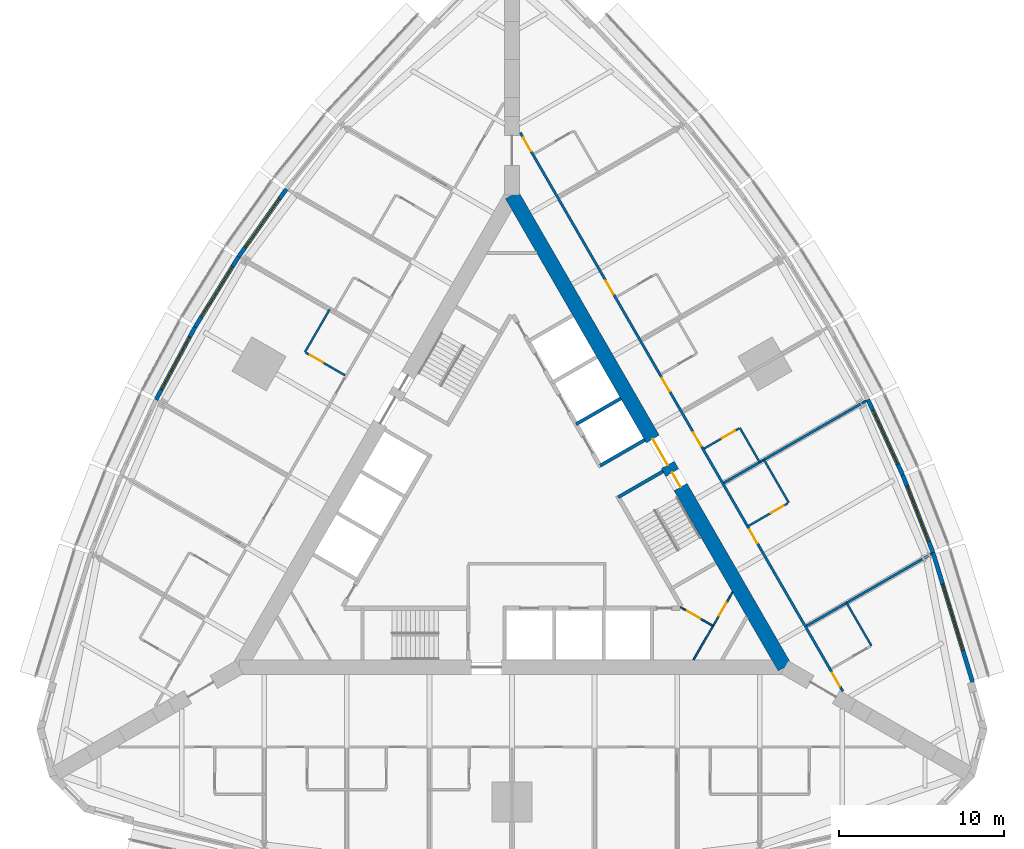
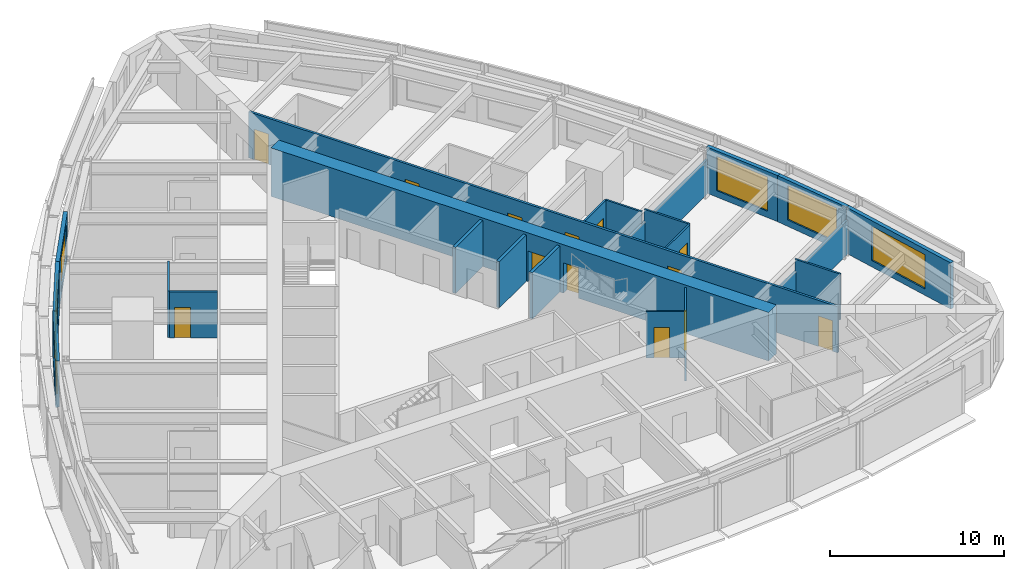
# One storey, part 11 of 14: 22 walls, 13 doors, 6 windows, 19 openings.
"""IFC4 building model written with IfcOpenShell, lengths in metres."""

from ifc_helpers import new_model, si_unit, direction, frame, frame_2d, origin, place, context, subcontext, project, spatial, rectangle, extrude, material, layer, layer_set, type_object, element, fill, save


model = new_model("IFC4")

# Units and contexts
model_context = context("Model", 3, precision=1e-05, world=origin(), true_north=direction((0.0, 1.0)))
body_context = subcontext(model_context, "Body", "Model", "MODEL_VIEW")
ifc_project = project(units=[si_unit("LENGTHUNIT", "METRE"), si_unit("AREAUNIT", "SQUARE_METRE"), si_unit("VOLUMEUNIT", "CUBIC_METRE"), si_unit("PLANEANGLEUNIT", "RADIAN"), si_unit("MASSUNIT", "GRAM", prefix="KILO")], contexts=[model_context])

# Site, building, storey
site_placement = place(None, origin())
site = spatial("IfcSite", under=ifc_project, at=site_placement, CompositionType="ELEMENT")
building_placement = place(site_placement, origin())
building = spatial("IfcBuilding", under=site, at=building_placement, Name="Trikona Tower", CompositionType="ELEMENT")
storey_placement = place(building_placement, frame((0.0, 0.0, 65.89990234375)))
storey = spatial("IfcBuildingStorey", under=building, at=storey_placement, Name="L16", CompositionType="ELEMENT", Elevation=65.89990234375)

# Walls
ifc_material_1 = material(Name="Metal stud and cement board", Category="gypsum")
ifc_layer_1 = layer(ifc_material_1, 0.1201171875)
ifc_layer_set_1 = layer_set([ifc_layer_1], Name="Bathroom wall 120")
wall_type_1 = type_object("IfcWallType", Name="Bathroom wall 120", PredefinedType="PLUMBINGWALL", material=ifc_layer_set_1)
for number, where, z_axis, x_axis, name in (
    (1, (21.75341796875, -8.225341796875, 0.0), (0.0, 0.0, 1.0), (-0.499990139034, 0.866031096941, 0.0), "Bathroom wall 1607"),
    (2, (16.75341796875, 0.434814453125, 0.0), (0.0, 0.0, 1.0), (-0.499990139034, 0.866031096941, 0.0), "Bathroom wall 1608"),
):
    element("IfcWall", number, at=place(storey_placement, frame(where, z_axis=z_axis, x_axis=x_axis)), inside=storey, type_object=wall_type_1, Name=name, PredefinedType="PLUMBINGWALL", context=body_context, shape_type="SweptSolid", body=[
        extrude(rectangle(XDim=3.0, YDim=0.1201171875, at=frame_2d((1.5, 0.0))), origin(), (0.0, 0.0, 1.0), 3.235107421875),
    ])

# Wall, opening, door
wall_1_placement = place(storey_placement, frame((14.32861328125, -0.965087890625, 0.0), z_axis=(0.0, 0.0, 1.0), x_axis=(0.866035715982, 0.499982138324, 0.0)))
wall_1 = element("IfcWall", 3, at=wall_1_placement, inside=storey, type_object=wall_type_1, Name="Bathroom wall 1608", PredefinedType="PLUMBINGWALL", context=body_context, shape_type="SweptSolid", body=[
    extrude(rectangle(XDim=2.73974609375, YDim=0.1201171875, at=frame_2d((1.369873046875, 0.0))), origin(), (0.0, 0.0, 1.0), 3.235107421875),
])
opening_1_placement = place(wall_1_placement, frame((1.550048828125, 0.0, 0.0)))
opening_1 = element("IfcOpeningElement", 4, at=opening_1_placement, cuts=wall_1, Name="Opening D2", PredefinedType="OPENING", context=body_context, shape_type="SweptSolid", body=[
    extrude(rectangle(XDim=0.89990234375, YDim=2.1298828125, at=frame_2d((0.449951171875, 1.06494140625))), frame((0.0, 0.070068359375, 0.0), z_axis=(0.0, -1.0, 0.0), x_axis=(1.0, 0.0, 0.0)), (0.0, 0.0, 1.0), 0.14013671875),
])
ifc_material_2 = material(Name="Steel door frame with solid-core timber leaf", Category="steel")
door_type_1 = type_object("IfcDoorType", Name="Bathroom door 900x2130", OperationType="SLIDING_TO_LEFT", PredefinedType="DOOR", material=ifc_material_2)
door_1_placement = place(opening_1_placement, origin())
door_1 = element("IfcDoor", 5, at=door_1_placement, inside=storey, type_object=door_type_1, Name="Bathroom door 1608", OperationType="SLIDING_TO_LEFT", OverallHeight=2.1298828125, OverallWidth=0.89990234375, PredefinedType="DOOR", context=body_context, shape_type="SweptSolid", body=[
    extrude(rectangle(XDim=0.89990234375, YDim=2.1298828125, at=frame_2d((0.449951171875, 1.06494140625))), frame((0.0, 0.02490234375, 0.0), z_axis=(0.0, -1.0, 0.0), x_axis=(1.0, 0.0, 0.0)), (0.0, 0.0, 1.0), 0.050048828125),
])
fill(opening_1, door_1)

# Wall
wall_2_placement = place(storey_placement, frame((14.993408203125, 2.883056640625, 0.0), z_axis=(0.0, 0.0, 1.0), x_axis=(-0.500001309137, 0.866024647952, 0.0)))
element("IfcWall", 6, at=wall_2_placement, inside=storey, type_object=wall_type_1, Name="Bathroom wall 1609", PredefinedType="PLUMBINGWALL", context=body_context, shape_type="SweptSolid", body=[
    extrude(rectangle(XDim=2.39990234375, YDim=0.1201171875, at=frame_2d((1.199951171875, 0.0))), origin(), (0.0, 0.0, 1.0), 3.235107421875),
])

# Wall, opening, door
wall_3_placement = place(storey_placement, frame((11.62841796875, 3.71142578125, 0.0), z_axis=(0.0, 0.0, 1.0), x_axis=(0.866048967903, 0.499959183527, 0.0)))
wall_3 = element("IfcWall", 7, at=wall_3_placement, inside=storey, type_object=wall_type_1, Name="Bathroom wall 1609", PredefinedType="PLUMBINGWALL", context=body_context, shape_type="SweptSolid", body=[
    extrude(rectangle(XDim=2.440185546875, YDim=0.1201171875, at=frame_2d((1.22021484375, 0.0))), origin(), (0.0, 0.0, 1.0), 3.235107421875),
])
opening_2_placement = place(wall_3_placement, frame((1.25, 0.0, 0.0)))
opening_2 = element("IfcOpeningElement", 8, at=opening_2_placement, cuts=wall_3, Name="Opening D2", PredefinedType="OPENING", context=body_context, shape_type="SweptSolid", body=[
    extrude(rectangle(XDim=0.89990234375, YDim=2.1298828125, at=frame_2d((0.449951171875, 1.06494140625))), frame((0.0, 0.070068359375, 0.0), z_axis=(0.0, -1.0, 0.0), x_axis=(1.0, 0.0, 0.0)), (0.0, 0.0, 1.0), 0.14013671875),
])
door_2_placement = place(opening_2_placement, origin())
door_2 = element("IfcDoor", 9, at=door_2_placement, inside=storey, type_object=door_type_1, Name="Bathroom door 1609", OperationType="SLIDING_TO_LEFT", OverallHeight=2.1298828125, OverallWidth=0.89990234375, PredefinedType="DOOR", context=body_context, shape_type="SweptSolid", body=[
    extrude(rectangle(XDim=0.89990234375, YDim=2.1298828125, at=frame_2d((0.449951171875, 1.06494140625))), frame((0.0, 0.02490234375, 0.0), z_axis=(0.0, -1.0, 0.0), x_axis=(1.0, 0.0, 0.0)), (0.0, 0.0, 1.0), 0.050048828125),
])
fill(opening_2, door_2)

# Wall
wall_4_placement = place(storey_placement, frame((-11.03271484375, 12.143310546875, 0.0), z_axis=(0.0, 0.0, 1.0), x_axis=(-0.499990139034, -0.866031096941, 0.0)))
element("IfcWall", 10, at=wall_4_placement, inside=storey, type_object=wall_type_1, Name="Bathroom wall 1615", PredefinedType="PLUMBINGWALL", context=body_context, shape_type="SweptSolid", body=[
    extrude(rectangle(XDim=3.0, YDim=0.1201171875, at=frame_2d((1.5, 0.0))), origin(), (0.0, 0.0, 1.0), 3.235107421875),
])

# Wall, opening, door
wall_5_placement = place(storey_placement, frame((-10.10791015625, 8.145263671875, 0.0), z_axis=(0.0, 0.0, 1.0), x_axis=(-0.866035715982, 0.499982138324, 0.0)))
wall_5 = element("IfcWall", 11, at=wall_5_placement, inside=storey, type_object=wall_type_1, Name="Bathroom wall 1615", PredefinedType="PLUMBINGWALL", context=body_context, shape_type="SweptSolid", body=[
    extrude(rectangle(XDim=2.73974609375, YDim=0.1201171875, at=frame_2d((1.369873046875, 0.0))), origin(), (0.0, 0.0, 1.0), 3.235107421875),
])
opening_3_placement = place(wall_5_placement, frame((1.550048828125, 0.0, 0.0)))
opening_3 = element("IfcOpeningElement", 12, at=opening_3_placement, cuts=wall_5, Name="Opening D2", PredefinedType="OPENING", context=body_context, shape_type="SweptSolid", body=[
    extrude(rectangle(XDim=0.89990234375, YDim=2.1298828125, at=frame_2d((0.449951171875, 1.06494140625))), frame((0.0, 0.070068359375, 0.0), z_axis=(0.0, -1.0, 0.0), x_axis=(1.0, 0.0, 0.0)), (0.0, 0.0, 1.0), 0.14013671875),
])
door_3_placement = place(opening_3_placement, origin())
door_3 = element("IfcDoor", 13, at=door_3_placement, inside=storey, type_object=door_type_1, Name="Bathroom door 1615", OperationType="SLIDING_TO_LEFT", OverallHeight=2.1298828125, OverallWidth=0.89990234375, PredefinedType="DOOR", context=body_context, shape_type="SweptSolid", body=[
    extrude(rectangle(XDim=0.89990234375, YDim=2.1298828125, at=frame_2d((0.449951171875, 1.06494140625))), frame((0.0, 0.02490234375, 0.0), z_axis=(0.0, -1.0, 0.0), x_axis=(1.0, 0.0, 0.0)), (0.0, 0.0, 1.0), 0.050048828125),
])
fill(opening_3, door_3)

# Wall, openings, doors
ifc_material_3 = material(Name="Concrete f'c 10000 psi", Category="concrete")
ifc_layer_2 = layer(ifc_material_3, 0.89990234375)
ifc_layer_set_2 = layer_set([ifc_layer_2], Name="Core wall 900")
wall_type_2 = type_object("IfcWallType", Name="Core wall 900", PredefinedType="SHEAR", material=ifc_layer_set_2)
wall_6_placement = place(storey_placement, frame((16.5, -9.5263671875, 0.0), z_axis=(0.0, 0.0, 1.0), x_axis=(-0.499999749417, 0.866025548458, 0.0)))
wall_6 = element("IfcWall", 14, at=wall_6_placement, inside=storey, type_object=wall_type_2, Name="Core wall B", PredefinedType="SHEAR", context=body_context, shape_type="SweptSolid", body=[
    extrude(rectangle(XDim=33.0, YDim=0.89990234375, at=frame_2d((16.5, 0.0))), origin(), (0.0, 0.0, 1.0), 3.400146484375),
])
opening_4_placement = place(wall_6_placement, frame((14.14990234375, 0.0, 0.0)))
opening_4 = element("IfcOpeningElement", 15, at=opening_4_placement, cuts=wall_6, Name="Opening D6", PredefinedType="OPENING", context=body_context, shape_type="SweptSolid", body=[
    extrude(rectangle(XDim=1.800048828125, YDim=2.1298828125, at=frame_2d((0.89990234375, 1.06494140625))), frame((0.0, 0.4599609375, 0.0), z_axis=(0.0, -1.0, 0.0), x_axis=(1.0, 0.0, 0.0)), (0.0, 0.0, 1.0), 0.919921875),
])
opening_5_placement = place(wall_6_placement, frame((12.60009765625, 0.0, 0.0)))
opening_5 = element("IfcOpeningElement", 16, at=opening_5_placement, cuts=wall_6, Name="Opening D5", PredefinedType="OPENING", context=body_context, shape_type="SweptSolid", body=[
    extrude(rectangle(XDim=1.0, YDim=2.1298828125, at=frame_2d((0.5, 1.06494140625))), frame((0.0, 0.4599609375, 0.0), z_axis=(0.0, -1.0, 0.0), x_axis=(1.0, 0.0, 0.0)), (0.0, 0.0, 1.0), 0.919921875),
])
ifc_material_4 = material(Name="Hollow metal door and frame", Category="steel")
door_type_2 = type_object("IfcDoorType", Name="Lobby door pair 1800x2130", OperationType="DOUBLE_DOOR_SINGLE_SWING", PredefinedType="DOOR", material=ifc_material_4)
door_4_placement = place(opening_4_placement, origin())
door_4 = element("IfcDoor", 17, at=door_4_placement, inside=storey, type_object=door_type_2, Name="Lift lobby door B", OperationType="DOUBLE_DOOR_SINGLE_SWING", OverallHeight=2.1298828125, OverallWidth=1.800048828125, PredefinedType="DOOR", context=body_context, shape_type="SweptSolid", body=[
    extrude(rectangle(XDim=1.800048828125, YDim=2.1298828125, at=frame_2d((0.89990234375, 1.06494140625))), frame((0.0, 0.02490234375, 0.0), z_axis=(0.0, -1.0, 0.0), x_axis=(1.0, 0.0, 0.0)), (0.0, 0.0, 1.0), 0.050048828125),
])
fill(opening_4, door_4)
ifc_material_5 = material(Name="Hollow metal door and frame", Category="steel")
door_type_3 = type_object("IfcDoorType", Name="Stair door 1000x2130", OperationType="SINGLE_SWING_LEFT", PredefinedType="DOOR", material=ifc_material_5)
door_5_placement = place(opening_5_placement, origin())
door_5 = element("IfcDoor", 18, at=door_5_placement, inside=storey, type_object=door_type_3, Name="Stair B door", OperationType="SINGLE_SWING_RIGHT", OverallHeight=2.1298828125, OverallWidth=1.0, PredefinedType="DOOR", context=body_context, shape_type="SweptSolid", body=[
    extrude(rectangle(XDim=1.0, YDim=2.1298828125, at=frame_2d((0.5, 1.06494140625))), frame((0.0, 0.02490234375, 0.0), z_axis=(0.0, -1.0, 0.0), x_axis=(1.0, 0.0, 0.0)), (0.0, 0.0, 1.0), 0.050048828125),
])
fill(opening_5, door_5)

ifc_material_6 = material(Name="Metal stud and gypsum board, 1-hour", Category="gypsum")
ifc_layer_3 = layer(ifc_material_6, 0.14990234375)
ifc_layer_set_3 = layer_set([ifc_layer_3], Name="Corridor wall 150")
wall_type_3 = type_object("IfcWallType", Name="Corridor wall 150", PredefinedType="PARTITIONING", material=ifc_layer_set_3)
wall_7_placement = place(storey_placement, frame((20.027099609375, -10.9853515625, 0.0), z_axis=(0.0, 0.0, 1.0), x_axis=(-0.500001677587, 0.866024435227, 0.0)))
wall_7 = element("IfcWall", 19, at=wall_7_placement, inside=storey, type_object=wall_type_3, Name="Corridor wall L16-2", PredefinedType="PARTITIONING", context=body_context, shape_type="SweptSolid", body=[
    extrude(rectangle(XDim=39.053955078125, YDim=0.14990234375, at=frame_2d((19.52685546875, 0.0))), origin(), (0.0, 0.0, 1.0), 3.235107421875),
])
opening_6_placement = place(wall_7_placement, frame((0.35205078125, 0.0, 0.0)))
opening_6 = element("IfcOpeningElement", 20, at=opening_6_placement, cuts=wall_7, Name="Opening D1", PredefinedType="OPENING", context=body_context, shape_type="SweptSolid", body=[
    extrude(rectangle(XDim=0.949951171875, YDim=2.1298828125, at=frame_2d((0.47509765625, 1.06494140625))), frame((0.0, 0.0849609375, 0.0), z_axis=(0.0, -1.0, 0.0), x_axis=(1.0, 0.0, 0.0)), (0.0, 0.0, 1.0), 0.169921875),
])
opening_7_placement = place(wall_7_placement, frame((10.35205078125, 0.0, 0.0)))
opening_7 = element("IfcOpeningElement", 21, at=opening_7_placement, cuts=wall_7, Name="Opening D1", PredefinedType="OPENING", context=body_context, shape_type="SweptSolid", body=[
    extrude(rectangle(XDim=0.949951171875, YDim=2.1298828125, at=frame_2d((0.47509765625, 1.06494140625))), frame((0.0, 0.0849609375, 0.0), z_axis=(0.0, -1.0, 0.0), x_axis=(1.0, 0.0, 0.0)), (0.0, 0.0, 1.0), 0.169921875),
])
opening_8_placement = place(wall_7_placement, frame((17.152099609375, 0.0, 0.0)))
opening_8 = element("IfcOpeningElement", 22, at=opening_8_placement, cuts=wall_7, Name="Opening D1", PredefinedType="OPENING", context=body_context, shape_type="SweptSolid", body=[
    extrude(rectangle(XDim=0.949951171875, YDim=2.1298828125, at=frame_2d((0.47509765625, 1.06494140625))), frame((0.0, 0.0849609375, 0.0), z_axis=(0.0, -1.0, 0.0), x_axis=(1.0, 0.0, 0.0)), (0.0, 0.0, 1.0), 0.169921875),
])
opening_9_placement = place(wall_7_placement, frame((20.951904296875, 0.0, 0.0)))
opening_9 = element("IfcOpeningElement", 23, at=opening_9_placement, cuts=wall_7, Name="Opening D1", PredefinedType="OPENING", context=body_context, shape_type="SweptSolid", body=[
    extrude(rectangle(XDim=0.949951171875, YDim=2.1298828125, at=frame_2d((0.47509765625, 1.06494140625))), frame((0.0, 0.0849609375, 0.0), z_axis=(0.0, -1.0, 0.0), x_axis=(1.0, 0.0, 0.0)), (0.0, 0.0, 1.0), 0.169921875),
])
opening_10_placement = place(wall_7_placement, frame((27.751953125, 0.0, 0.0)))
opening_10 = element("IfcOpeningElement", 24, at=opening_10_placement, cuts=wall_7, Name="Opening D1", PredefinedType="OPENING", context=body_context, shape_type="SweptSolid", body=[
    extrude(rectangle(XDim=0.949951171875, YDim=2.1298828125, at=frame_2d((0.47509765625, 1.06494140625))), frame((0.0, 0.0849609375, 0.0), z_axis=(0.0, -1.0, 0.0), x_axis=(1.0, 0.0, 0.0)), (0.0, 0.0, 1.0), 0.169921875),
])
opening_11_placement = place(wall_7_placement, frame((37.751953125, 0.0, 0.0)))
opening_11 = element("IfcOpeningElement", 25, at=opening_11_placement, cuts=wall_7, Name="Opening D1", PredefinedType="OPENING", context=body_context, shape_type="SweptSolid", body=[
    extrude(rectangle(XDim=0.949951171875, YDim=2.1298828125, at=frame_2d((0.47509765625, 1.06494140625))), frame((0.0, 0.0849609375, 0.0), z_axis=(0.0, -1.0, 0.0), x_axis=(1.0, 0.0, 0.0)), (0.0, 0.0, 1.0), 0.169921875),
])
ifc_material_7 = material(Name="Steel door frame with solid-core timber leaf", Category="steel")
door_type_4 = type_object("IfcDoorType", Name="Guest room door 950x2130", OperationType="SINGLE_SWING_LEFT", PredefinedType="DOOR", material=ifc_material_7)
door_6_placement = place(opening_6_placement, origin())
door_6 = element("IfcDoor", 26, at=door_6_placement, inside=storey, type_object=door_type_4, Name="Room door 1607", OperationType="SINGLE_SWING_LEFT", OverallHeight=2.1298828125, OverallWidth=0.949951171875, PredefinedType="DOOR", context=body_context, shape_type="SweptSolid", body=[
    extrude(rectangle(XDim=0.949951171875, YDim=2.1298828125, at=frame_2d((0.47509765625, 1.06494140625))), frame((0.0, 0.02490234375, 0.0), z_axis=(0.0, -1.0, 0.0), x_axis=(1.0, 0.0, 0.0)), (0.0, 0.0, 1.0), 0.050048828125),
])
fill(opening_6, door_6)
door_7_placement = place(opening_7_placement, origin())
door_7 = element("IfcDoor", 27, at=door_7_placement, inside=storey, type_object=door_type_4, Name="Room door 1608", OperationType="SINGLE_SWING_RIGHT", OverallHeight=2.1298828125, OverallWidth=0.949951171875, PredefinedType="DOOR", context=body_context, shape_type="SweptSolid", body=[
    extrude(rectangle(XDim=0.949951171875, YDim=2.1298828125, at=frame_2d((0.47509765625, 1.06494140625))), frame((0.0, 0.02490234375, 0.0), z_axis=(0.0, -1.0, 0.0), x_axis=(1.0, 0.0, 0.0)), (0.0, 0.0, 1.0), 0.050048828125),
])
fill(opening_7, door_7)
door_8_placement = place(opening_8_placement, origin())
door_8 = element("IfcDoor", 28, at=door_8_placement, inside=storey, type_object=door_type_4, Name="Room door 1609", OperationType="SINGLE_SWING_LEFT", OverallHeight=2.1298828125, OverallWidth=0.949951171875, PredefinedType="DOOR", context=body_context, shape_type="SweptSolid", body=[
    extrude(rectangle(XDim=0.949951171875, YDim=2.1298828125, at=frame_2d((0.47509765625, 1.06494140625))), frame((0.0, 0.02490234375, 0.0), z_axis=(0.0, -1.0, 0.0), x_axis=(1.0, 0.0, 0.0)), (0.0, 0.0, 1.0), 0.050048828125),
])
fill(opening_8, door_8)
door_9_placement = place(opening_9_placement, origin())
door_9 = element("IfcDoor", 29, at=door_9_placement, inside=storey, type_object=door_type_4, Name="Room door 1610", OperationType="SINGLE_SWING_RIGHT", OverallHeight=2.1298828125, OverallWidth=0.949951171875, PredefinedType="DOOR", context=body_context, shape_type="SweptSolid", body=[
    extrude(rectangle(XDim=0.949951171875, YDim=2.1298828125, at=frame_2d((0.47509765625, 1.06494140625))), frame((0.0, 0.02490234375, 0.0), z_axis=(0.0, -1.0, 0.0), x_axis=(1.0, 0.0, 0.0)), (0.0, 0.0, 1.0), 0.050048828125),
])
fill(opening_9, door_9)
door_10_placement = place(opening_10_placement, origin())
door_10 = element("IfcDoor", 30, at=door_10_placement, inside=storey, type_object=door_type_4, Name="Room door 1611", OperationType="SINGLE_SWING_LEFT", OverallHeight=2.1298828125, OverallWidth=0.949951171875, PredefinedType="DOOR", context=body_context, shape_type="SweptSolid", body=[
    extrude(rectangle(XDim=0.949951171875, YDim=2.1298828125, at=frame_2d((0.47509765625, 1.06494140625))), frame((0.0, 0.02490234375, 0.0), z_axis=(0.0, -1.0, 0.0), x_axis=(1.0, 0.0, 0.0)), (0.0, 0.0, 1.0), 0.050048828125),
])
fill(opening_10, door_10)
door_11_placement = place(opening_11_placement, origin())
door_11 = element("IfcDoor", 31, at=door_11_placement, inside=storey, type_object=door_type_4, Name="Room door 1612", OperationType="SINGLE_SWING_RIGHT", OverallHeight=2.1298828125, OverallWidth=0.949951171875, PredefinedType="DOOR", context=body_context, shape_type="SweptSolid", body=[
    extrude(rectangle(XDim=0.949951171875, YDim=2.1298828125, at=frame_2d((0.47509765625, 1.06494140625))), frame((0.0, 0.02490234375, 0.0), z_axis=(0.0, -1.0, 0.0), x_axis=(1.0, 0.0, 0.0)), (0.0, 0.0, 1.0), 0.050048828125),
])
fill(opening_11, door_11)

# Wall, opening, window
ifc_material_8 = material(Name="Insulated precast concrete spandrel panel", Category="concrete")
ifc_layer_4 = layer(ifc_material_8, 0.25)
ifc_layer_set_4 = layer_set([ifc_layer_4], Name="Inner skin wall 250")
wall_type_4 = type_object("IfcWallType", Name="Inner skin wall 250", PredefinedType="STANDARD", material=ifc_layer_set_4)
wall_8_placement = place(storey_placement, frame((27.88037109375, -10.4287109375, 0.0), z_axis=(0.0, 0.0, 1.0), x_axis=(-0.2919790669, 0.956424709265, 0.0)))
wall_8 = element("IfcWall", 32, at=wall_8_placement, inside=storey, type_object=wall_type_4, Name="External wall L16-12", PredefinedType="STANDARD", context=body_context, shape_type="SweptSolid", body=[
    extrude(rectangle(XDim=8.211181640625, YDim=0.25, at=frame_2d((4.10546875, 0.0))), origin(), (0.0, 0.0, 1.0), 3.235107421875),
])
opening_12_placement = place(wall_8_placement, frame((2.005615234375, 0.0, 0.449951171875)))
opening_12 = element("IfcOpeningElement", 33, at=opening_12_placement, cuts=wall_8, Name="Opening W4224", PredefinedType="OPENING", context=body_context, shape_type="SweptSolid", body=[
    extrude(rectangle(XDim=4.199951171875, YDim=2.39990234375, at=frame_2d((2.10009765625, 1.199951171875))), frame((0.0, 0.135009765625, 0.0), z_axis=(0.0, -1.0, 0.0), x_axis=(1.0, 0.0, 0.0)), (0.0, 0.0, 1.0), 0.27001953125),
])
ifc_material_9 = material(Name="Aluminium-framed double glazing", Category="aluminium")
window_type_1 = type_object("IfcWindowType", Name="Window 4200x2400", PartitioningType="SINGLE_PANEL", PredefinedType="WINDOW", material=ifc_material_9)
window_1_placement = place(opening_12_placement, origin())
window_1 = element("IfcWindow", 34, at=window_1_placement, inside=storey, type_object=window_type_1, Name="Window 1607", OverallHeight=2.39990234375, OverallWidth=4.199951171875, PartitioningType="SINGLE_PANEL", PredefinedType="WINDOW", context=body_context, shape_type="SweptSolid", body=[
    extrude(rectangle(XDim=4.199951171875, YDim=2.39990234375, at=frame_2d((2.10009765625, 1.199951171875))), frame((0.0, 0.030029296875, 0.0), z_axis=(0.0, -1.0, 0.0), x_axis=(1.0, 0.0, 0.0)), (0.0, 0.0, 1.0), 0.06005859375),
])
fill(opening_12, window_1)

wall_9_placement = place(storey_placement, frame((25.486083984375, -2.58447265625, 0.0), z_axis=(0.0, 0.0, 1.0), x_axis=(-0.364013463868, 0.931393685894, 0.0)))
wall_9 = element("IfcWall", 35, at=wall_9_placement, inside=storey, type_object=wall_type_4, Name="External wall L16-13", PredefinedType="STANDARD", context=body_context, shape_type="SweptSolid", body=[
    extrude(rectangle(XDim=5.0576171875, YDim=0.25, at=frame_2d((2.52880859375, 0.0))), origin(), (0.0, 0.0, 1.0), 3.235107421875),
])
opening_13_placement = place(wall_9_placement, frame((0.728759765625, 0.0, 0.449951171875)))
opening_13 = element("IfcOpeningElement", 36, at=opening_13_placement, cuts=wall_9, Name="Opening W3624", PredefinedType="OPENING", context=body_context, shape_type="SweptSolid", body=[
    extrude(rectangle(XDim=3.60009765625, YDim=2.39990234375, at=frame_2d((1.800048828125, 1.199951171875))), frame((0.0, 0.135009765625, 0.0), z_axis=(0.0, -1.0, 0.0), x_axis=(1.0, 0.0, 0.0)), (0.0, 0.0, 1.0), 0.27001953125),
])
ifc_material_10 = material(Name="Aluminium-framed double glazing", Category="aluminium")
window_type_2 = type_object("IfcWindowType", Name="Window 3600x2400", PartitioningType="SINGLE_PANEL", PredefinedType="WINDOW", material=ifc_material_10)
window_2_placement = place(opening_13_placement, origin())
window_2 = element("IfcWindow", 37, at=window_2_placement, inside=storey, type_object=window_type_2, Name="Window 1608", OverallHeight=2.39990234375, OverallWidth=3.60009765625, PartitioningType="SINGLE_PANEL", PredefinedType="WINDOW", context=body_context, shape_type="SweptSolid", body=[
    extrude(rectangle(XDim=3.60009765625, YDim=2.39990234375, at=frame_2d((1.800048828125, 1.199951171875))), frame((0.0, 0.030029296875, 0.0), z_axis=(0.0, -1.0, 0.0), x_axis=(1.0, 0.0, 0.0)), (0.0, 0.0, 1.0), 0.06005859375),
])
fill(opening_13, window_2)

wall_10_placement = place(storey_placement, frame((23.64794921875, 2.119384765625, 0.0), z_axis=(0.0, 0.0, 1.0), x_axis=(-0.419203100754, 0.907892482796, 0.0)))
wall_10 = element("IfcWall", 38, at=wall_10_placement, inside=storey, type_object=wall_type_4, Name="External wall L16-14", PredefinedType="STANDARD", context=body_context, shape_type="SweptSolid", body=[
    extrude(rectangle(XDim=5.020751953125, YDim=0.25, at=frame_2d((2.51025390625, 0.0))), origin(), (0.0, 0.0, 1.0), 3.235107421875),
])
opening_14_placement = place(wall_10_placement, frame((0.71044921875, 0.0, 0.449951171875)))
opening_14 = element("IfcOpeningElement", 39, at=opening_14_placement, cuts=wall_10, Name="Opening W3624", PredefinedType="OPENING", context=body_context, shape_type="SweptSolid", body=[
    extrude(rectangle(XDim=3.60009765625, YDim=2.39990234375, at=frame_2d((1.800048828125, 1.199951171875))), frame((0.0, 0.135009765625, 0.0), z_axis=(0.0, -1.0, 0.0), x_axis=(1.0, 0.0, 0.0)), (0.0, 0.0, 1.0), 0.27001953125),
])
window_3_placement = place(opening_14_placement, origin())
window_3 = element("IfcWindow", 40, at=window_3_placement, inside=storey, type_object=window_type_2, Name="Window 1608", OverallHeight=2.39990234375, OverallWidth=3.60009765625, PartitioningType="SINGLE_PANEL", PredefinedType="WINDOW", context=body_context, shape_type="SweptSolid", body=[
    extrude(rectangle(XDim=3.60009765625, YDim=2.39990234375, at=frame_2d((1.800048828125, 1.199951171875))), frame((0.0, 0.030029296875, 0.0), z_axis=(0.0, -1.0, 0.0), x_axis=(1.0, 0.0, 0.0)), (0.0, 0.0, 1.0), 0.06005859375),
])
fill(opening_14, window_3)

wall_11_placement = place(storey_placement, frame((-13.659423828125, 19.420166015625, 0.0), z_axis=(0.0, 0.0, 1.0), x_axis=(-0.5766431066, -0.81699616132, 0.0)))
wall_11 = element("IfcWall", 41, at=wall_11_placement, inside=storey, type_object=wall_type_4, Name="External wall L16-26", PredefinedType="STANDARD", context=body_context, shape_type="SweptSolid", body=[
    extrude(rectangle(XDim=5.02099609375, YDim=0.25, at=frame_2d((2.510498046875, 0.0))), origin(), (0.0, 0.0, 1.0), 3.235107421875),
])
opening_15_placement = place(wall_11_placement, frame((0.71044921875, 0.0, 0.449951171875)))
opening_15 = element("IfcOpeningElement", 42, at=opening_15_placement, cuts=wall_11, Name="Opening W3624", PredefinedType="OPENING", context=body_context, shape_type="SweptSolid", body=[
    extrude(rectangle(XDim=3.60009765625, YDim=2.39990234375, at=frame_2d((1.800048828125, 1.199951171875))), frame((0.0, 0.135009765625, 0.0), z_axis=(0.0, -1.0, 0.0), x_axis=(1.0, 0.0, 0.0)), (0.0, 0.0, 1.0), 0.27001953125),
])
window_4_placement = place(opening_15_placement, origin())
window_4 = element("IfcWindow", 43, at=window_4_placement, inside=storey, type_object=window_type_2, Name="Window 1614", OverallHeight=2.39990234375, OverallWidth=3.60009765625, PartitioningType="SINGLE_PANEL", PredefinedType="WINDOW", context=body_context, shape_type="SweptSolid", body=[
    extrude(rectangle(XDim=3.60009765625, YDim=2.39990234375, at=frame_2d((1.800048828125, 1.199951171875))), frame((0.0, 0.030029296875, 0.0), z_axis=(0.0, -1.0, 0.0), x_axis=(1.0, 0.0, 0.0)), (0.0, 0.0, 1.0), 0.06005859375),
])
fill(opening_15, window_4)

wall_12_placement = place(storey_placement, frame((-16.550537109375, 15.324462890625, 0.0), z_axis=(0.0, 0.0, 1.0), x_axis=(-0.526132807704, -0.850402415717, 0.0)))
wall_12 = element("IfcWall", 44, at=wall_12_placement, inside=storey, type_object=wall_type_4, Name="External wall L16-27", PredefinedType="STANDARD", context=body_context, shape_type="SweptSolid", body=[
    extrude(rectangle(XDim=5.002197265625, YDim=0.25, at=frame_2d((2.5009765625, 0.0))), origin(), (0.0, 0.0, 1.0), 3.235107421875),
])
opening_16_placement = place(wall_12_placement, frame((0.701171875, 0.0, 0.449951171875)))
opening_16 = element("IfcOpeningElement", 45, at=opening_16_placement, cuts=wall_12, Name="Opening W3624", PredefinedType="OPENING", context=body_context, shape_type="SweptSolid", body=[
    extrude(rectangle(XDim=3.60009765625, YDim=2.39990234375, at=frame_2d((1.800048828125, 1.199951171875))), frame((0.0, 0.135009765625, 0.0), z_axis=(0.0, -1.0, 0.0), x_axis=(1.0, 0.0, 0.0)), (0.0, 0.0, 1.0), 0.27001953125),
])
window_5_placement = place(opening_16_placement, origin())
window_5 = element("IfcWindow", 46, at=window_5_placement, inside=storey, type_object=window_type_2, Name="Window 1615", OverallHeight=2.39990234375, OverallWidth=3.60009765625, PartitioningType="SINGLE_PANEL", PredefinedType="WINDOW", context=body_context, shape_type="SweptSolid", body=[
    extrude(rectangle(XDim=3.60009765625, YDim=2.39990234375, at=frame_2d((1.800048828125, 1.199951171875))), frame((0.0, 0.030029296875, 0.0), z_axis=(0.0, -1.0, 0.0), x_axis=(1.0, 0.0, 0.0)), (0.0, 0.0, 1.0), 0.06005859375),
])
fill(opening_16, window_5)

wall_13_placement = place(storey_placement, frame((-19.178466796875, 11.0771484375, 0.0), z_axis=(0.0, 0.0, 1.0), x_axis=(-0.473412820489, -0.880840678782, 0.0)))
wall_13 = element("IfcWall", 47, at=wall_13_placement, inside=storey, type_object=wall_type_4, Name="External wall L16-28", PredefinedType="STANDARD", context=body_context, shape_type="SweptSolid", body=[
    extrude(rectangle(XDim=5.00244140625, YDim=0.25, at=frame_2d((2.501220703125, 0.0))), origin(), (0.0, 0.0, 1.0), 3.235107421875),
])
opening_17_placement = place(wall_13_placement, frame((0.701171875, 0.0, 0.449951171875)))
opening_17 = element("IfcOpeningElement", 48, at=opening_17_placement, cuts=wall_13, Name="Opening W3624", PredefinedType="OPENING", context=body_context, shape_type="SweptSolid", body=[
    extrude(rectangle(XDim=3.60009765625, YDim=2.39990234375, at=frame_2d((1.800048828125, 1.199951171875))), frame((0.0, 0.135009765625, 0.0), z_axis=(0.0, -1.0, 0.0), x_axis=(1.0, 0.0, 0.0)), (0.0, 0.0, 1.0), 0.27001953125),
])
window_6_placement = place(opening_17_placement, origin())
window_6 = element("IfcWindow", 49, at=window_6_placement, inside=storey, type_object=window_type_2, Name="Window 1615", OverallHeight=2.39990234375, OverallWidth=3.60009765625, PartitioningType="SINGLE_PANEL", PredefinedType="WINDOW", context=body_context, shape_type="SweptSolid", body=[
    extrude(rectangle(XDim=3.60009765625, YDim=2.39990234375, at=frame_2d((1.800048828125, 1.199951171875))), frame((0.0, 0.030029296875, 0.0), z_axis=(0.0, -1.0, 0.0), x_axis=(1.0, 0.0, 0.0)), (0.0, 0.0, 1.0), 0.06005859375),
])
fill(opening_17, window_6)

# Walls
ifc_material_11 = material(Name="Metal stud and gypsum board, 1-hour acoustic", Category="gypsum")
ifc_layer_5 = layer(ifc_material_11, 0.14990234375)
ifc_layer_set_5 = layer_set([ifc_layer_5], Name="Party wall 150")
wall_type_5 = type_object("IfcWallType", Name="Party wall 150", PredefinedType="PARTITIONING", material=ifc_layer_set_5)
wall_14_placement = place(storey_placement, frame((17.82861328125, -7.027099609375, 0.0), z_axis=(0.0, 0.0, 1.0), x_axis=(0.866032659912, 0.499987431809, 0.0)))
element("IfcWall", 50, at=wall_14_placement, inside=storey, type_object=wall_type_5, Name="Partition L16 F2 u-15", PredefinedType="PARTITIONING", context=body_context, shape_type="SweptSolid", body=[
    extrude(rectangle(XDim=8.719970703125, YDim=0.14990234375, at=frame_2d((4.35986328125, 0.0))), origin(), (0.0, 0.0, 1.0), 2.389404296875),
])
wall_15_placement = place(storey_placement, frame((12.82861328125, 1.633056640625, 0.0), z_axis=(0.0, 0.0, 1.0), x_axis=(0.866026934769, 0.499997348248, 0.0)))
element("IfcWall", 51, at=wall_15_placement, inside=storey, type_object=wall_type_5, Name="Partition L16 F2 u-5", PredefinedType="PARTITIONING", context=body_context, shape_type="SweptSolid", body=[
    extrude(rectangle(XDim=9.94287109375, YDim=0.14990234375, at=frame_2d((4.971435546875, 0.0))), origin(), (0.0, 0.0, 1.0), 2.389404296875),
])
ifc_material_12 = material(Name="Concrete f'c 8000 psi", Category="concrete")
ifc_layer_6 = layer(ifc_material_12, 0.199951171875)
ifc_layer_set_6 = layer_set([ifc_layer_6], Name="Shaft wall 200")
wall_type_6 = type_object("IfcWallType", Name="Shaft wall 200", PredefinedType="SOLIDWALL", material=ifc_layer_set_6)
for number, where, z_axis, x_axis, name in (
    (52, (5.3291015625, 2.672607421875, 0.0), (0.0, 0.0, 1.0), (0.866022959057, 0.500004234368, 0.0), "Shaft wall B3"),
    (53, (3.87890625, 5.18408203125, 0.0), (0.0, 0.0, 1.0), (0.866022959057, 0.500004234368, 0.0), "Shaft wall B4"),
):
    element("IfcWall", number, at=place(storey_placement, frame(where, z_axis=z_axis, x_axis=x_axis)), inside=storey, type_object=wall_type_6, Name=name, PredefinedType="SOLIDWALL", context=body_context, shape_type="SweptSolid", body=[
        extrude(rectangle(XDim=3.125, YDim=0.199951171875, at=frame_2d((1.5625, 0.0))), origin(), (0.0, 0.0, 1.0), 3.235107421875),
    ])
ifc_material_13 = material(Name="Concrete f'c 8000 psi", Category="concrete")
ifc_layer_7 = layer(ifc_material_13, 0.199951171875)
ifc_layer_set_7 = layer_set([ifc_layer_7], Name="Shaft wall 200 load-bearing")
wall_type_7 = type_object("IfcWallType", Name="Shaft wall 200 load-bearing", PredefinedType="SOLIDWALL", material=ifc_layer_set_7)
wall_16_placement = place(storey_placement, frame((6.428955078125, 0.767333984375, 0.0), z_axis=(0.0, 0.0, 1.0), x_axis=(0.866022959057, 0.500004234368, 0.0)))
element("IfcWall", 54, at=wall_16_placement, inside=storey, type_object=wall_type_7, Name="Shaft wall B2", PredefinedType="SOLIDWALL", context=body_context, shape_type="SweptSolid", body=[
    extrude(rectangle(XDim=3.125, YDim=0.199951171875, at=frame_2d((1.5625, 0.0))), origin(), (0.0, 0.0, 1.0), 3.235107421875),
])

# Wall, opening, door
ifc_material_14 = material(Name="Metal stud and gypsum board, acoustic", Category="gypsum")
ifc_layer_8 = layer(ifc_material_14, 0.10009765625)
ifc_layer_set_8 = layer_set([ifc_layer_8], Name="Suite partition 100")
wall_type_8 = type_object("IfcWallType", Name="Suite partition 100", PredefinedType="PARTITIONING", material=ifc_layer_set_8)
wall_17_placement = place(storey_placement, frame((13.353515625, -4.976318359375, 0.0), z_axis=(0.0, 0.0, 1.0), x_axis=(-0.499999210213, -0.866025859768, 0.0)))
wall_17 = element("IfcWall", 55, at=wall_17_placement, inside=storey, type_object=wall_type_8, Name="Store partition L16-RS1", PredefinedType="PARTITIONING", context=body_context, shape_type="SweptSolid", body=[
    extrude(rectangle(XDim=4.734375, YDim=0.10009765625, at=frame_2d((2.3671875, 0.0))), origin(), (0.0, 0.0, 1.0), 3.235107421875),
])
opening_18_placement = place(wall_17_placement, frame((0.733642578125, 0.0, 0.0)))
opening_18 = element("IfcOpeningElement", 56, at=opening_18_placement, cuts=wall_17, Name="Opening D15", PredefinedType="OPENING", context=body_context, shape_type="SweptSolid", body=[
    extrude(rectangle(XDim=0.89990234375, YDim=2.1298828125, at=frame_2d((0.449951171875, 1.06494140625))), frame((0.0, 0.06005859375, 0.0), z_axis=(0.0, -1.0, 0.0), x_axis=(1.0, 0.0, 0.0)), (0.0, 0.0, 1.0), 0.1201171875),
])
ifc_material_15 = material(Name="Steel door frame with solid-core timber leaf", Category="steel")
door_type_5 = type_object("IfcDoorType", Name="Store door 900x2130", OperationType="SINGLE_SWING_LEFT", PredefinedType="DOOR", material=ifc_material_15)
door_12_placement = place(opening_18_placement, origin())
door_12 = element("IfcDoor", 57, at=door_12_placement, inside=storey, type_object=door_type_5, Name="Door Storage STO", OperationType="SINGLE_SWING_LEFT", OverallHeight=2.1298828125, OverallWidth=0.89990234375, PredefinedType="DOOR", context=body_context, shape_type="SweptSolid", body=[
    extrude(rectangle(XDim=0.89990234375, YDim=2.1298828125, at=frame_2d((0.449951171875, 1.06494140625))), frame((0.0, 0.02490234375, 0.0), z_axis=(0.0, -1.0, 0.0), x_axis=(1.0, 0.0, 0.0)), (0.0, 0.0, 1.0), 0.050048828125),
])
fill(opening_18, door_12)

wall_18_placement = place(storey_placement, frame((12.169921875, -7.0263671875, 0.0), z_axis=(0.0, 0.0, 1.0), x_axis=(-0.866015833478, 0.50001657589, 0.0)))
wall_18 = element("IfcWall", 58, at=wall_18_placement, inside=storey, type_object=wall_type_8, Name="Store partition L16-RS1", PredefinedType="PARTITIONING", context=body_context, shape_type="SweptSolid", body=[
    extrude(rectangle(XDim=2.275390625, YDim=0.10009765625, at=frame_2d((1.1376953125, 0.0))), origin(), (0.0, 0.0, 1.0), 3.235107421875),
])
opening_19_placement = place(wall_18_placement, frame((0.9150390625, 0.0, 0.0)))
opening_19 = element("IfcOpeningElement", 59, at=opening_19_placement, cuts=wall_18, Name="Opening D15", PredefinedType="OPENING", context=body_context, shape_type="SweptSolid", body=[
    extrude(rectangle(XDim=0.89990234375, YDim=2.1298828125, at=frame_2d((0.449951171875, 1.06494140625))), frame((0.0, 0.06005859375, 0.0), z_axis=(0.0, -1.0, 0.0), x_axis=(1.0, 0.0, 0.0)), (0.0, 0.0, 1.0), 0.1201171875),
])
door_13_placement = place(opening_19_placement, origin())
door_13 = element("IfcDoor", 60, at=door_13_placement, inside=storey, type_object=door_type_5, Name="Door Luggage store LUG", OperationType="SINGLE_SWING_RIGHT", OverallHeight=2.1298828125, OverallWidth=0.89990234375, PredefinedType="DOOR", context=body_context, shape_type="SweptSolid", body=[
    extrude(rectangle(XDim=0.89990234375, YDim=2.1298828125, at=frame_2d((0.449951171875, 1.06494140625))), frame((0.0, 0.02490234375, 0.0), z_axis=(0.0, -1.0, 0.0), x_axis=(1.0, 0.0, 0.0)), (0.0, 0.0, 1.0), 0.050048828125),
])
fill(opening_19, door_13)

save(model, "model.ifc")
